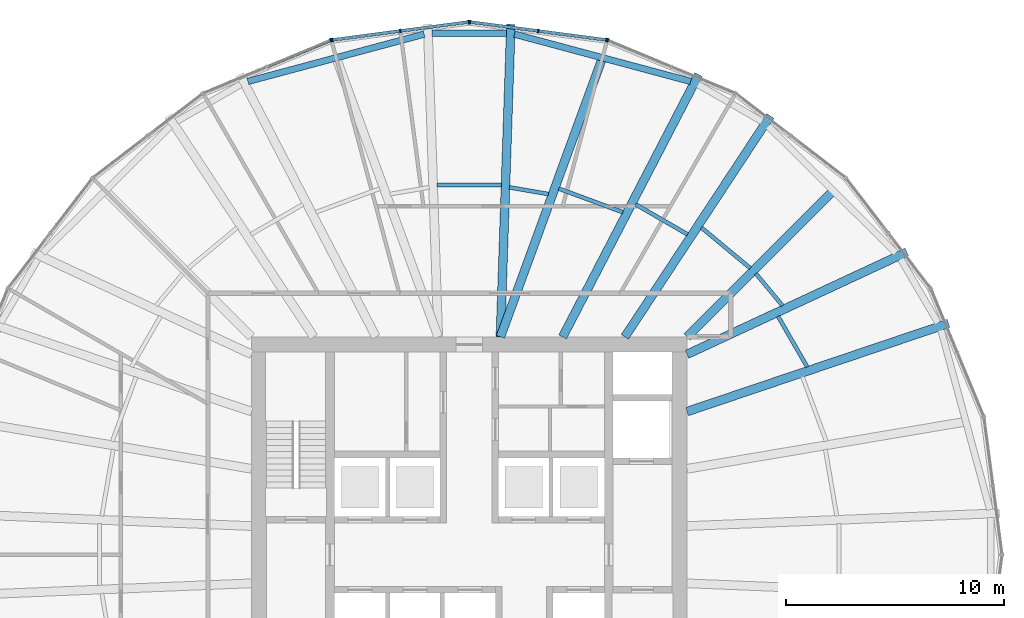
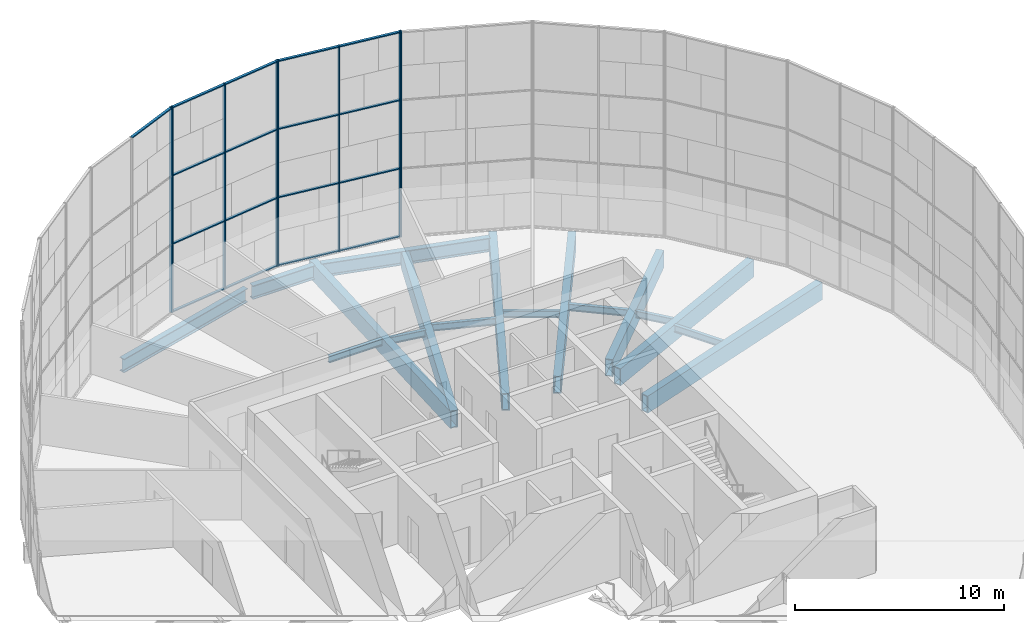
# One storey, part 7 of 22: 25 members, 17 beams, 4 elements without a shape of their own.
"""IFC4 building model written with IfcOpenShell, lengths in metres."""

from ifc_helpers import new_model, si_unit, direction, frame, origin, origin_2d, place, context, subcontext, project, spatial, rectangle, hollow_rectangle, i_section, extrude, material, material_profile, profile_set, type_object, element, aggregate, save


model = new_model("IFC4")

# Units and contexts
model_context = context("Model", 3, precision=1e-05, world=origin(), true_north=direction((0.0, 1.0)))
body_context = subcontext(model_context, "Body", "Model", "MODEL_VIEW")
ifc_project = project(units=[si_unit("LENGTHUNIT", "METRE"), si_unit("AREAUNIT", "SQUARE_METRE"), si_unit("VOLUMEUNIT", "CUBIC_METRE"), si_unit("PLANEANGLEUNIT", "RADIAN"), si_unit("MASSUNIT", "GRAM", prefix="KILO")], contexts=[model_context])

# Site, building, storey
site_placement = place(None, origin())
site = spatial("IfcSite", under=ifc_project, at=site_placement, CompositionType="ELEMENT")
building_placement = place(site_placement, origin())
building = spatial("IfcBuilding", under=site, at=building_placement, Name="Golbaran Civic Tower", CompositionType="ELEMENT")
storey_placement = place(building_placement, frame((0.0, 0.0, 90.0)))
storey = spatial("IfcBuildingStorey", under=building, at=storey_placement, Name="L21", CompositionType="ELEMENT", Elevation=90.0)

# Beams
ifc_material_1 = material(Name="Steel S355", Category="steel")
ifc_material_profile_1 = material_profile(ifc_material_1, i_section(OverallWidth=0.300048828125, OverallDepth=0.800048828125, WebThickness=0.017578125, FlangeThickness=0.032958984375, FilletRadius=0.030029296875, at=origin_2d()), Name="HEB 800")
ifc_profile_set_1 = profile_set([ifc_material_profile_1], Name="Steel S355")
beam_type_1 = type_object("IfcBeamType", Name="EDGE BEAM HEB 800", PredefinedType="BEAM", material=ifc_profile_set_1)
beam_1_placement = place(storey_placement, frame((10.164306640625, 21.729248046875, -0.60009765625), z_axis=(-0.965861874447, 0.259057598787, 0.0), x_axis=(-0.259057598787, -0.965861874447, 0.0)))
element("IfcBeam", 1, at=beam_1_placement, inside=storey, type_object=beam_type_1, Name="Edge beam 64.42 L21", PredefinedType="BEAM", context=body_context, shape_type="SweptSolid", body=[
    extrude(i_section(OverallWidth=0.300048828125, OverallDepth=0.800048828125, WebThickness=0.017578125, FlangeThickness=0.032958984375, FilletRadius=0.030029296875, at=origin_2d()), origin(), (0.0, 0.0, 1.0), 8.375244140625),
])
beam_2_placement = place(storey_placement, frame((1.71630859375, 23.94677734375, -0.60009765625), z_axis=(-1.0, 0.0, 0.0), x_axis=(0.0, -1.0, 0.0)))
element("IfcBeam", 2, at=beam_2_placement, inside=storey, type_object=beam_type_1, Name="Edge beam 85.58 L21", PredefinedType="BEAM", context=body_context, shape_type="SweptSolid", body=[
    extrude(i_section(OverallWidth=0.300048828125, OverallDepth=0.800048828125, WebThickness=0.017578125, FlangeThickness=0.032958984375, FilletRadius=0.030029296875, at=origin_2d()), origin(), (0.0, 0.0, 1.0), 3.4326171875),
])
beam_3_placement = place(storey_placement, frame((-2.074951171875, 23.89892578125, -0.60009765625), z_axis=(-0.965861874447, -0.259057598787, 0.0), x_axis=(0.259057598787, -0.965861874447, 0.0)))
element("IfcBeam", 3, at=beam_3_placement, inside=storey, type_object=beam_type_1, Name="Edge beam 94.42 L21", PredefinedType="BEAM", context=body_context, shape_type="SweptSolid", body=[
    extrude(i_section(OverallWidth=0.300048828125, OverallDepth=0.800048828125, WebThickness=0.017578125, FlangeThickness=0.032958984375, FilletRadius=0.030029296875, at=origin_2d()), origin(), (0.0, 0.0, 1.0), 8.375244140625),
])
ifc_material_profile_2 = material_profile(ifc_material_1, i_section(OverallWidth=0.179931640625, OverallDepth=0.39990234375, WebThickness=0.008544921875, FlangeThickness=0.013427734375, FilletRadius=0.02099609375, at=origin_2d()), Name="IPE 400")
ifc_profile_set_2 = profile_set([ifc_material_profile_2], Name="Steel S355")
beam_type_2 = type_object("IfcBeamType", Name="FLOOR INFILL BEAM IPE 400", PredefinedType="BEAM", material=ifc_profile_set_2)
beam_4_placement = place(storey_placement, frame((15.515625, 8.622314453125, -0.39990234375), z_axis=(-0.500045531117, 0.865999114786, 0.0), x_axis=(-0.865999114786, -0.500045531117, 0.0)))
element("IfcBeam", 4, at=beam_4_placement, inside=storey, type_object=beam_type_2, Name="Infill beam 30.00 L21", PredefinedType="BEAM", context=body_context, shape_type="SweptSolid", body=[
    extrude(i_section(OverallWidth=0.179931640625, OverallDepth=0.39990234375, WebThickness=0.008544921875, FlangeThickness=0.013427734375, FilletRadius=0.02099609375, at=origin_2d()), origin(), (0.0, 0.0, 1.0), 2.681884765625),
])
beam_5_placement = place(storey_placement, frame((14.37939453125, 11.437255859375, -0.39990234375), z_axis=(-0.638925380548, 0.769268716439, 0.0), x_axis=(-0.769268716439, -0.638925380548, 0.0)))
element("IfcBeam", 5, at=beam_5_placement, inside=storey, type_object=beam_type_2, Name="Infill beam 39.71 L21", PredefinedType="BEAM", context=body_context, shape_type="SweptSolid", body=[
    extrude(i_section(OverallWidth=0.179931640625, OverallDepth=0.39990234375, WebThickness=0.008544921875, FlangeThickness=0.013427734375, FilletRadius=0.02099609375, at=origin_2d()), origin(), (0.0, 0.0, 1.0), 1.90869140625),
])
beam_6_placement = place(storey_placement, frame((12.900390625, 13.155029296875, -0.39990234375), z_axis=(-0.769325958609, 0.638856454464, 0.0), x_axis=(-0.638856454464, -0.769325958609, 0.0)))
element("IfcBeam", 6, at=beam_6_placement, inside=storey, type_object=beam_type_2, Name="Infill beam 50.29 L21", PredefinedType="BEAM", context=body_context, shape_type="SweptSolid", body=[
    extrude(i_section(OverallWidth=0.179931640625, OverallDepth=0.39990234375, WebThickness=0.008544921875, FlangeThickness=0.013427734375, FilletRadius=0.02099609375, at=origin_2d()), origin(), (0.0, 0.0, 1.0), 2.91357421875),
])
beam_7_placement = place(storey_placement, frame((10.023681640625, 14.7060546875, -0.39990234375), z_axis=(-0.866033343297, 0.499986248108, 0.0), x_axis=(-0.499986248108, -0.866033343297, 0.0)))
element("IfcBeam", 7, at=beam_7_placement, inside=storey, type_object=beam_type_2, Name="Infill beam 60.00 L21", PredefinedType="BEAM", context=body_context, shape_type="SweptSolid", body=[
    extrude(i_section(OverallWidth=0.179931640625, OverallDepth=0.39990234375, WebThickness=0.008544921875, FlangeThickness=0.013427734375, FilletRadius=0.02099609375, at=origin_2d()), origin(), (0.0, 0.0, 1.0), 2.75048828125),
])
beam_8_placement = place(storey_placement, frame((7.0498046875, 15.72216796875, -0.39990234375), z_axis=(-0.937944946175, 0.346784195061, 0.0), x_axis=(-0.346784195061, -0.937944946175, 0.0)))
element("IfcBeam", 8, at=beam_8_placement, inside=storey, type_object=beam_type_2, Name="Infill beam 69.71 L21", PredefinedType="BEAM", context=body_context, shape_type="SweptSolid", body=[
    extrude(i_section(OverallWidth=0.179931640625, OverallDepth=0.39990234375, WebThickness=0.008544921875, FlangeThickness=0.013427734375, FilletRadius=0.02099609375, at=origin_2d()), origin(), (0.0, 0.0, 1.0), 3.135009765625),
])
beam_9_placement = place(storey_placement, frame((3.63427734375, 16.55810546875, -0.39990234375), z_axis=(-0.98567832971, 0.168636384982, 0.0), x_axis=(-0.168636384982, -0.98567832971, 0.0)))
element("IfcBeam", 9, at=beam_9_placement, inside=storey, type_object=beam_type_2, Name="Infill beam 80.29 L21", PredefinedType="BEAM", context=body_context, shape_type="SweptSolid", body=[
    extrude(i_section(OverallWidth=0.179931640625, OverallDepth=0.39990234375, WebThickness=0.008544921875, FlangeThickness=0.013427734375, FilletRadius=0.02099609375, at=origin_2d()), origin(), (0.0, 0.0, 1.0), 1.8212890625),
])
beam_10_placement = place(storey_placement, frame((1.482421875, 16.973388671875, -0.39990234375), z_axis=(-1.0, 0.0, 0.0), x_axis=(0.0, -1.0, 0.0)))
element("IfcBeam", 10, at=beam_10_placement, inside=storey, type_object=beam_type_2, Name="Infill beam 90.00 L21", PredefinedType="BEAM", context=body_context, shape_type="SweptSolid", body=[
    extrude(i_section(OverallWidth=0.179931640625, OverallDepth=0.39990234375, WebThickness=0.008544921875, FlangeThickness=0.013427734375, FilletRadius=0.02099609375, at=origin_2d()), origin(), (0.0, 0.0, 1.0), 2.96484375),
])

# Curtain wall, member
ifc_material_2 = material(Name="Aluminium and glass", Category="aluminium")
curtain_wall_type = type_object("IfcCurtainWallType", Name="INNER SKIN CURTAIN WALL", PredefinedType="NOTDEFINED", material=ifc_material_2)
curtain_wall_1_placement = place(storey_placement, origin())
curtain_wall_1 = element("IfcCurtainWall", 11, at=curtain_wall_1_placement, inside=storey, type_object=curtain_wall_type, Name="Inner skin L21 facet 5 CW1", ObjectType="INNER SKIN", PredefinedType="USERDEFINED")
ifc_material_3 = material(Name="Aluminium", Category="aluminium")
ifc_material_profile_3 = material_profile(ifc_material_3, rectangle(XDim=0.179931640625, YDim=0.06494140625, at=origin_2d()), Name="INNER SKIN CURTAIN WALL MULLION")
ifc_profile_set_3 = profile_set([ifc_material_profile_3], Name="Aluminium")
member_type_1 = type_object("IfcMemberType", Name="INNER SKIN CURTAIN WALL MULLION", PredefinedType="MULLION", material=ifc_profile_set_3)
member_1_placement = place(storey_placement, frame((6.361083984375, 23.614990234375, 0.0), z_axis=(0.0, 0.0, 1.0), x_axis=(-0.382683432365, -0.923879532511, 0.0)))
member_1 = element("IfcMember", 12, at=member_1_placement, type_object=member_type_1, Name="CW1 mullion 3", PredefinedType="MULLION", context=body_context, shape_type="SweptSolid", body=[
    extrude(rectangle(XDim=0.179931640625, YDim=0.06494140625, at=origin_2d()), origin(), (0.0, 0.0, 1.0), 12.0),
])
aggregate(curtain_wall_1, [member_1])

# Curtain wall, members
curtain_wall_2_placement = place(storey_placement, origin())
curtain_wall_2 = element("IfcCurtainWall", 13, at=curtain_wall_2_placement, inside=storey, type_object=curtain_wall_type, Name="Inner skin L21 facet 6 CW1", ObjectType="INNER SKIN", PredefinedType="USERDEFINED")
member_2_placement = place(storey_placement, frame((6.298828125, 23.6318359375, 0.0), z_axis=(0.0, 0.0, 1.0), x_axis=(-0.130526192203, -0.991444861376, 0.0)))
member_2 = element("IfcMember", 14, at=member_2_placement, type_object=member_type_1, Name="CW1 mullion 1", PredefinedType="MULLION", context=body_context, shape_type="SweptSolid", body=[
    extrude(rectangle(XDim=0.179931640625, YDim=0.06494140625, at=origin_2d()), origin(), (0.0, 0.0, 1.0), 12.0),
])
member_3_placement = place(storey_placement, frame((3.16552734375, 24.044189453125, 0.0), z_axis=(0.0, 0.0, 1.0), x_axis=(-0.130526192203, -0.991444861376, 0.0)))
member_3 = element("IfcMember", 15, at=member_3_placement, type_object=member_type_1, Name="CW1 mullion 2", PredefinedType="MULLION", context=body_context, shape_type="SweptSolid", body=[
    extrude(rectangle(XDim=0.179931640625, YDim=0.06494140625, at=origin_2d()), origin(), (0.0, 0.0, 1.0), 12.0),
])
member_4_placement = place(storey_placement, frame((0.0322265625, 24.456787109375, 0.0), z_axis=(0.0, 0.0, 1.0), x_axis=(-0.130526192203, -0.991444861376, 0.0)))
member_4 = element("IfcMember", 16, at=member_4_placement, type_object=member_type_1, Name="CW1 mullion 3", PredefinedType="MULLION", context=body_context, shape_type="SweptSolid", body=[
    extrude(rectangle(XDim=0.179931640625, YDim=0.06494140625, at=origin_2d()), origin(), (0.0, 0.0, 1.0), 12.0),
])

curtain_wall_3_placement = place(storey_placement, origin())
curtain_wall_3 = element("IfcCurtainWall", 17, at=curtain_wall_3_placement, inside=storey, type_object=curtain_wall_type, Name="Inner skin L21 facet 7 CW1", ObjectType="INNER SKIN", PredefinedType="USERDEFINED")
member_5_placement = place(storey_placement, frame((-0.0322265625, 24.456787109375, 0.0), z_axis=(0.0, 0.0, 1.0), x_axis=(0.130526192203, -0.991444861376, 0.0)))
member_5 = element("IfcMember", 18, at=member_5_placement, type_object=member_type_1, Name="CW1 mullion 1", PredefinedType="MULLION", context=body_context, shape_type="SweptSolid", body=[
    extrude(rectangle(XDim=0.179931640625, YDim=0.06494140625, at=origin_2d()), origin(), (0.0, 0.0, 1.0), 12.0),
])
member_6_placement = place(storey_placement, frame((-3.16552734375, 24.044189453125, 0.0), z_axis=(0.0, 0.0, 1.0), x_axis=(0.130526192203, -0.991444861376, 0.0)))
member_6 = element("IfcMember", 19, at=member_6_placement, type_object=member_type_1, Name="CW1 mullion 2", PredefinedType="MULLION", context=body_context, shape_type="SweptSolid", body=[
    extrude(rectangle(XDim=0.179931640625, YDim=0.06494140625, at=origin_2d()), origin(), (0.0, 0.0, 1.0), 12.0),
])
member_7_placement = place(storey_placement, frame((-6.298828125, 23.6318359375, 0.0), z_axis=(0.0, 0.0, 1.0), x_axis=(0.130526192203, -0.991444861376, 0.0)))
member_7 = element("IfcMember", 20, at=member_7_placement, type_object=member_type_1, Name="CW1 mullion 3", PredefinedType="MULLION", context=body_context, shape_type="SweptSolid", body=[
    extrude(rectangle(XDim=0.179931640625, YDim=0.06494140625, at=origin_2d()), origin(), (0.0, 0.0, 1.0), 12.0),
])

# Curtain wall, member
curtain_wall_4_placement = place(storey_placement, origin())
curtain_wall_4 = element("IfcCurtainWall", 21, at=curtain_wall_4_placement, inside=storey, type_object=curtain_wall_type, Name="Inner skin L21 facet 8 CW1", ObjectType="INNER SKIN", PredefinedType="USERDEFINED")
member_8_placement = place(storey_placement, frame((-6.361083984375, 23.614990234375, 0.0), z_axis=(0.0, 0.0, 1.0), x_axis=(0.382683432365, -0.923879532511, 0.0)))
member_8 = element("IfcMember", 22, at=member_8_placement, type_object=member_type_1, Name="CW1 mullion 1", PredefinedType="MULLION", context=body_context, shape_type="SweptSolid", body=[
    extrude(rectangle(XDim=0.179931640625, YDim=0.06494140625, at=origin_2d()), origin(), (0.0, 0.0, 1.0), 12.0),
])

# Member
ifc_material_profile_4 = material_profile(ifc_material_3, rectangle(XDim=0.139892578125, YDim=0.06494140625, at=origin_2d()), Name="INNER SKIN CURTAIN WALL TRANSOM")
ifc_profile_set_4 = profile_set([ifc_material_profile_4], Name="Aluminium")
member_type_2 = type_object("IfcMemberType", Name="INNER SKIN CURTAIN WALL TRANSOM", PredefinedType="USERDEFINED", material=ifc_profile_set_4)
member_9_placement = place(storey_placement, frame((6.2666015625, 23.635986328125, 0.032470703125), z_axis=(-0.99144355375, 0.130536124221, 0.0), x_axis=(-0.130536124221, -0.99144355375, 0.0)))
member_9 = element("IfcMember", 23, at=member_9_placement, type_object=member_type_2, Name="CW1 transom 1.1", ObjectType="TRANSOM", PredefinedType="USERDEFINED", context=body_context, shape_type="SweptSolid", body=[
    extrude(rectangle(XDim=0.139892578125, YDim=0.06494140625, at=origin_2d()), origin(), (0.0, 0.0, 1.0), 3.09521484375),
])

member_10_placement = place(storey_placement, frame((6.2666015625, 23.635986328125, 4.0), z_axis=(-0.99144355375, 0.130536124221, 0.0), x_axis=(-0.130536124221, -0.99144355375, 0.0)))
member_10 = element("IfcMember", 24, at=member_10_placement, type_object=member_type_2, Name="CW1 transom 1.2", ObjectType="TRANSOM", PredefinedType="USERDEFINED", context=body_context, shape_type="SweptSolid", body=[
    extrude(rectangle(XDim=0.139892578125, YDim=0.06494140625, at=origin_2d()), origin(), (0.0, 0.0, 1.0), 3.09521484375),
])

member_11_placement = place(storey_placement, frame((6.2666015625, 23.635986328125, 8.0), z_axis=(-0.99144355375, 0.130536124221, 0.0), x_axis=(-0.130536124221, -0.99144355375, 0.0)))
member_11 = element("IfcMember", 25, at=member_11_placement, type_object=member_type_2, Name="CW1 transom 1.3", ObjectType="TRANSOM", PredefinedType="USERDEFINED", context=body_context, shape_type="SweptSolid", body=[
    extrude(rectangle(XDim=0.139892578125, YDim=0.06494140625, at=origin_2d()), origin(), (0.0, 0.0, 1.0), 3.09521484375),
])

member_12_placement = place(storey_placement, frame((6.2666015625, 23.635986328125, 11.967529296875), z_axis=(-0.99144355375, 0.130536124221, 0.0), x_axis=(-0.130536124221, -0.99144355375, 0.0)))
member_12 = element("IfcMember", 26, at=member_12_placement, type_object=member_type_2, Name="CW1 transom 1.4", ObjectType="TRANSOM", PredefinedType="USERDEFINED", context=body_context, shape_type="SweptSolid", body=[
    extrude(rectangle(XDim=0.139892578125, YDim=0.06494140625, at=origin_2d()), origin(), (0.0, 0.0, 1.0), 3.09521484375),
])

member_13_placement = place(storey_placement, frame((3.13330078125, 24.048583984375, 0.032470703125), z_axis=(-0.99144355375, 0.130536124221, 0.0), x_axis=(-0.130536124221, -0.99144355375, 0.0)))
member_13 = element("IfcMember", 27, at=member_13_placement, type_object=member_type_2, Name="CW1 transom 2.1", ObjectType="TRANSOM", PredefinedType="USERDEFINED", context=body_context, shape_type="SweptSolid", body=[
    extrude(rectangle(XDim=0.139892578125, YDim=0.06494140625, at=origin_2d()), origin(), (0.0, 0.0, 1.0), 3.09521484375),
])

member_14_placement = place(storey_placement, frame((3.13330078125, 24.048583984375, 4.0), z_axis=(-0.99144355375, 0.130536124221, 0.0), x_axis=(-0.130536124221, -0.99144355375, 0.0)))
member_14 = element("IfcMember", 28, at=member_14_placement, type_object=member_type_2, Name="CW1 transom 2.2", ObjectType="TRANSOM", PredefinedType="USERDEFINED", context=body_context, shape_type="SweptSolid", body=[
    extrude(rectangle(XDim=0.139892578125, YDim=0.06494140625, at=origin_2d()), origin(), (0.0, 0.0, 1.0), 3.09521484375),
])

member_15_placement = place(storey_placement, frame((3.13330078125, 24.048583984375, 8.0), z_axis=(-0.99144355375, 0.130536124221, 0.0), x_axis=(-0.130536124221, -0.99144355375, 0.0)))
member_15 = element("IfcMember", 29, at=member_15_placement, type_object=member_type_2, Name="CW1 transom 2.3", ObjectType="TRANSOM", PredefinedType="USERDEFINED", context=body_context, shape_type="SweptSolid", body=[
    extrude(rectangle(XDim=0.139892578125, YDim=0.06494140625, at=origin_2d()), origin(), (0.0, 0.0, 1.0), 3.09521484375),
])

member_16_placement = place(storey_placement, frame((3.13330078125, 24.048583984375, 11.967529296875), z_axis=(-0.99144355375, 0.130536124221, 0.0), x_axis=(-0.130536124221, -0.99144355375, 0.0)))
member_16 = element("IfcMember", 30, at=member_16_placement, type_object=member_type_2, Name="CW1 transom 2.4", ObjectType="TRANSOM", PredefinedType="USERDEFINED", context=body_context, shape_type="SweptSolid", body=[
    extrude(rectangle(XDim=0.139892578125, YDim=0.06494140625, at=origin_2d()), origin(), (0.0, 0.0, 1.0), 3.09521484375),
])

aggregate(curtain_wall_2, [member_2, member_3, member_4, member_9, member_10, member_11, member_12, member_13, member_14, member_15, member_16])

member_17_placement = place(storey_placement, frame((-0.064453125, 24.45263671875, 0.032470703125), z_axis=(-0.99144355375, -0.130536124221, 0.0), x_axis=(0.130536124221, -0.99144355375, 0.0)))
member_17 = element("IfcMember", 31, at=member_17_placement, type_object=member_type_2, Name="CW1 transom 1.1", ObjectType="TRANSOM", PredefinedType="USERDEFINED", context=body_context, shape_type="SweptSolid", body=[
    extrude(rectangle(XDim=0.139892578125, YDim=0.06494140625, at=origin_2d()), origin(), (0.0, 0.0, 1.0), 3.09521484375),
])

member_18_placement = place(storey_placement, frame((-0.064453125, 24.45263671875, 4.0), z_axis=(-0.99144355375, -0.130536124221, 0.0), x_axis=(0.130536124221, -0.99144355375, 0.0)))
member_18 = element("IfcMember", 32, at=member_18_placement, type_object=member_type_2, Name="CW1 transom 1.2", ObjectType="TRANSOM", PredefinedType="USERDEFINED", context=body_context, shape_type="SweptSolid", body=[
    extrude(rectangle(XDim=0.139892578125, YDim=0.06494140625, at=origin_2d()), origin(), (0.0, 0.0, 1.0), 3.09521484375),
])

member_19_placement = place(storey_placement, frame((-0.064453125, 24.45263671875, 8.0), z_axis=(-0.99144355375, -0.130536124221, 0.0), x_axis=(0.130536124221, -0.99144355375, 0.0)))
member_19 = element("IfcMember", 33, at=member_19_placement, type_object=member_type_2, Name="CW1 transom 1.3", ObjectType="TRANSOM", PredefinedType="USERDEFINED", context=body_context, shape_type="SweptSolid", body=[
    extrude(rectangle(XDim=0.139892578125, YDim=0.06494140625, at=origin_2d()), origin(), (0.0, 0.0, 1.0), 3.09521484375),
])

member_20_placement = place(storey_placement, frame((-0.064453125, 24.45263671875, 11.967529296875), z_axis=(-0.99144355375, -0.130536124221, 0.0), x_axis=(0.130536124221, -0.99144355375, 0.0)))
member_20 = element("IfcMember", 34, at=member_20_placement, type_object=member_type_2, Name="CW1 transom 1.4", ObjectType="TRANSOM", PredefinedType="USERDEFINED", context=body_context, shape_type="SweptSolid", body=[
    extrude(rectangle(XDim=0.139892578125, YDim=0.06494140625, at=origin_2d()), origin(), (0.0, 0.0, 1.0), 3.09521484375),
])

member_21_placement = place(storey_placement, frame((-3.19775390625, 24.0400390625, 0.032470703125), z_axis=(-0.99144355375, -0.130536124221, 0.0), x_axis=(0.130536124221, -0.99144355375, 0.0)))
member_21 = element("IfcMember", 35, at=member_21_placement, type_object=member_type_2, Name="CW1 transom 2.1", ObjectType="TRANSOM", PredefinedType="USERDEFINED", context=body_context, shape_type="SweptSolid", body=[
    extrude(rectangle(XDim=0.139892578125, YDim=0.06494140625, at=origin_2d()), origin(), (0.0, 0.0, 1.0), 3.09521484375),
])

member_22_placement = place(storey_placement, frame((-3.19775390625, 24.0400390625, 4.0), z_axis=(-0.99144355375, -0.130536124221, 0.0), x_axis=(0.130536124221, -0.99144355375, 0.0)))
member_22 = element("IfcMember", 36, at=member_22_placement, type_object=member_type_2, Name="CW1 transom 2.2", ObjectType="TRANSOM", PredefinedType="USERDEFINED", context=body_context, shape_type="SweptSolid", body=[
    extrude(rectangle(XDim=0.139892578125, YDim=0.06494140625, at=origin_2d()), origin(), (0.0, 0.0, 1.0), 3.09521484375),
])

member_23_placement = place(storey_placement, frame((-3.19775390625, 24.0400390625, 8.0), z_axis=(-0.99144355375, -0.130536124221, 0.0), x_axis=(0.130536124221, -0.99144355375, 0.0)))
member_23 = element("IfcMember", 37, at=member_23_placement, type_object=member_type_2, Name="CW1 transom 2.3", ObjectType="TRANSOM", PredefinedType="USERDEFINED", context=body_context, shape_type="SweptSolid", body=[
    extrude(rectangle(XDim=0.139892578125, YDim=0.06494140625, at=origin_2d()), origin(), (0.0, 0.0, 1.0), 3.09521484375),
])

member_24_placement = place(storey_placement, frame((-3.19775390625, 24.0400390625, 11.967529296875), z_axis=(-0.99144355375, -0.130536124221, 0.0), x_axis=(0.130536124221, -0.99144355375, 0.0)))
member_24 = element("IfcMember", 38, at=member_24_placement, type_object=member_type_2, Name="CW1 transom 2.4", ObjectType="TRANSOM", PredefinedType="USERDEFINED", context=body_context, shape_type="SweptSolid", body=[
    extrude(rectangle(XDim=0.139892578125, YDim=0.06494140625, at=origin_2d()), origin(), (0.0, 0.0, 1.0), 3.09521484375),
])

aggregate(curtain_wall_3, [member_5, member_6, member_7, member_17, member_18, member_19, member_20, member_21, member_22, member_23, member_24])

member_25_placement = place(storey_placement, frame((-6.39111328125, 23.6025390625, 11.967529296875), z_axis=(-0.923898591316, -0.382637417099, 0.0), x_axis=(0.382637417099, -0.923898591316, 0.0)))
member_25 = element("IfcMember", 39, at=member_25_placement, type_object=member_type_2, Name="CW1 transom 1.4", ObjectType="TRANSOM", PredefinedType="USERDEFINED", context=body_context, shape_type="SweptSolid", body=[
    extrude(rectangle(XDim=0.139892578125, YDim=0.06494140625, at=origin_2d()), origin(), (0.0, 0.0, 1.0), 3.09521484375),
])

aggregate(curtain_wall_4, [member_8, member_25])

# Beams
ifc_material_profile_5 = material_profile(ifc_material_1, hollow_rectangle(XDim=0.39990234375, YDim=1.0, WallThickness=0.050048828125, at=origin_2d()), Name="BOX 1000x400x50")
ifc_profile_set_5 = profile_set([ifc_material_profile_5], Name="Steel S355")
beam_type_3 = type_object("IfcBeamType", Name="RADIAL FLOOR BEAM BOX 1000x400x50", PredefinedType="BEAM", material=ifc_profile_set_5)
beam_11_placement = place(storey_placement, frame((10.0, 6.571533203125, -0.7099609375), z_axis=(0.947528474415, 0.319671378408, 0.0), x_axis=(-0.319671378408, 0.947528474415, 0.0)))
element("IfcBeam", 40, at=beam_11_placement, inside=storey, type_object=beam_type_3, Name="Radial beam 25.58 L21", PredefinedType="BEAM", context=body_context, shape_type="SweptSolid", body=[
    extrude(hollow_rectangle(XDim=0.39990234375, YDim=1.0, WallThickness=0.050048828125, at=origin_2d()), origin(), (0.0, 0.0, 1.0), 12.668701171875),
])
beam_12_placement = place(storey_placement, frame((10.0, 9.199951171875, -0.7099609375), z_axis=(0.906581192846, 0.422031445247, 0.0), x_axis=(-0.422031445247, 0.906581192846, 0.0)))
element("IfcBeam", 41, at=beam_12_placement, inside=storey, type_object=beam_type_3, Name="Radial beam 34.42 L21", PredefinedType="BEAM", context=body_context, shape_type="SweptSolid", body=[
    extrude(hollow_rectangle(XDim=0.39990234375, YDim=1.0, WallThickness=0.050048828125, at=origin_2d()), origin(), (0.0, 0.0, 1.0), 11.129638671875),
])
beam_13_placement = place(storey_placement, frame((7.142822265625, 10.0, -0.7099609375), z_axis=(0.549647880779, 0.835396437121, 0.0), x_axis=(-0.835396437121, 0.549647880779, 0.0)))
element("IfcBeam", 42, at=beam_13_placement, inside=storey, type_object=beam_type_3, Name="Radial beam 55.58 L21", PredefinedType="BEAM", context=body_context, shape_type="SweptSolid", body=[
    extrude(hollow_rectangle(XDim=0.39990234375, YDim=1.0, WallThickness=0.050048828125, at=origin_2d()), origin(), (0.0, 0.0, 1.0), 12.14599609375),
])
beam_14_placement = place(storey_placement, frame((4.28564453125, 10.0, -0.7099609375), z_axis=(0.460280395556, 0.887773595838, 0.0), x_axis=(-0.887773595838, 0.460280395556, 0.0)))
element("IfcBeam", 43, at=beam_14_placement, inside=storey, type_object=beam_type_3, Name="Radial beam 64.42 L21", PredefinedType="BEAM", context=body_context, shape_type="SweptSolid", body=[
    extrude(hollow_rectangle(XDim=0.39990234375, YDim=1.0, WallThickness=0.050048828125, at=origin_2d()), origin(), (0.0, 0.0, 1.0), 13.56689453125),
])
beam_15_placement = place(storey_placement, frame((1.428466796875, 10.0, -0.7099609375), z_axis=(0.033536117957, 0.999437506197, 0.0), x_axis=(-0.999437506197, 0.033536117957, 0.0)))
element("IfcBeam", 44, at=beam_15_placement, inside=storey, type_object=beam_type_3, Name="Radial beam 85.58 L21", PredefinedType="BEAM", context=body_context, shape_type="SweptSolid", body=[
    extrude(hollow_rectangle(XDim=0.39990234375, YDim=1.0, WallThickness=0.050048828125, at=origin_2d()), origin(), (0.0, 0.0, 1.0), 14.36328125),
])
ifc_material_profile_6 = material_profile(ifc_material_1, hollow_rectangle(XDim=0.39990234375, YDim=1.0, WallThickness=0.0400390625, at=origin_2d()), Name="BOX 1000x400x40")
ifc_profile_set_6 = profile_set([ifc_material_profile_6], Name="Steel S355")
beam_type_4 = type_object("IfcBeamType", Name="SECONDARY FLOOR BEAM BOX 1000x400x40", PredefinedType="BEAM", material=ifc_profile_set_6)
beam_16_placement = place(storey_placement, frame((10.0, 10.0, -0.7099609375), z_axis=(0.707106781187, 0.707106781187, 0.0), x_axis=(-0.707106781187, 0.707106781187, 0.0)))
element("IfcBeam", 45, at=beam_16_placement, inside=storey, type_object=beam_type_4, Name="Secondary beam 45.00 L21", PredefinedType="BEAM", context=body_context, shape_type="SweptSolid", body=[
    extrude(hollow_rectangle(XDim=0.39990234375, YDim=1.0, WallThickness=0.0400390625, at=origin_2d()), origin(), (0.0, 0.0, 1.0), 9.489013671875),
])
beam_17_placement = place(storey_placement, frame((1.428466796875, 10.0, -0.7099609375), z_axis=(0.343348670441, 0.939208012373, 0.0), x_axis=(-0.939208012373, 0.343348670441, 0.0)))
element("IfcBeam", 46, at=beam_17_placement, inside=storey, type_object=beam_type_4, Name="Secondary beam 75.00 L21", PredefinedType="BEAM", context=body_context, shape_type="SweptSolid", body=[
    extrude(hollow_rectangle(XDim=0.39990234375, YDim=1.0, WallThickness=0.0400390625, at=origin_2d()), origin(), (0.0, 0.0, 1.0), 13.645263671875),
])

save(model, "model.ifc")
